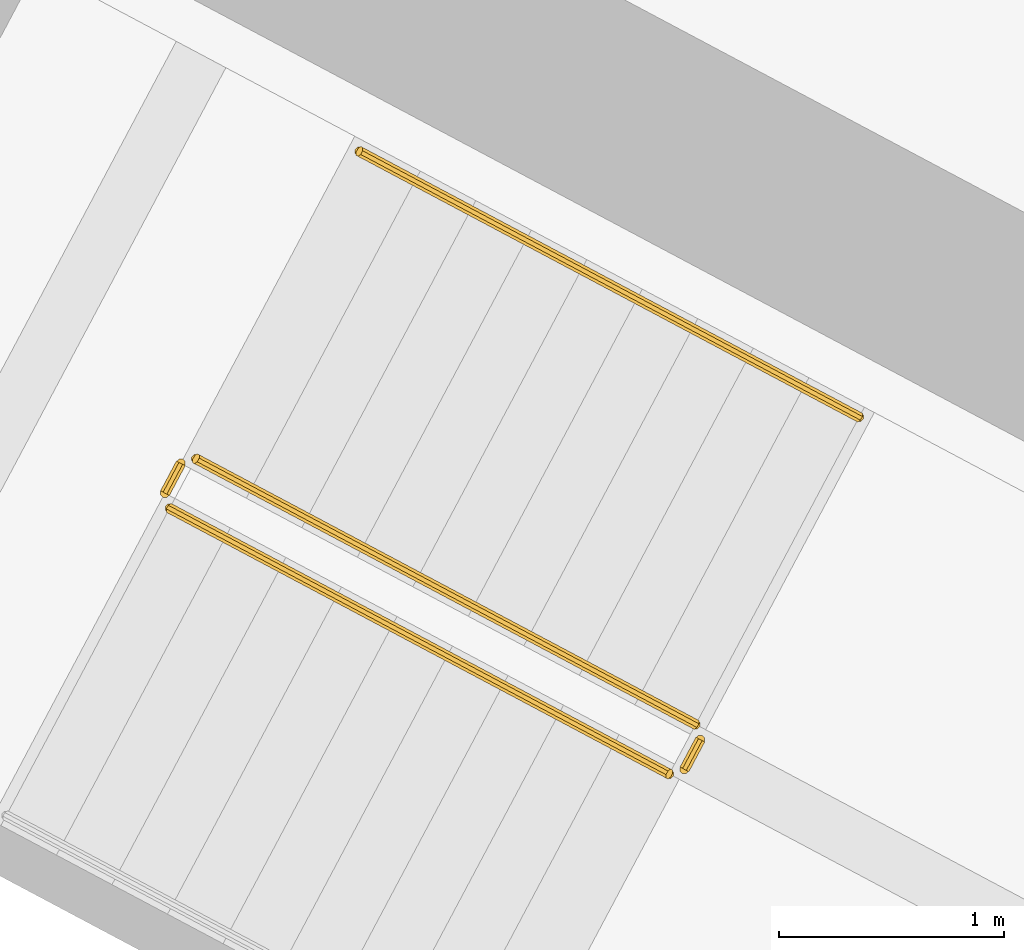
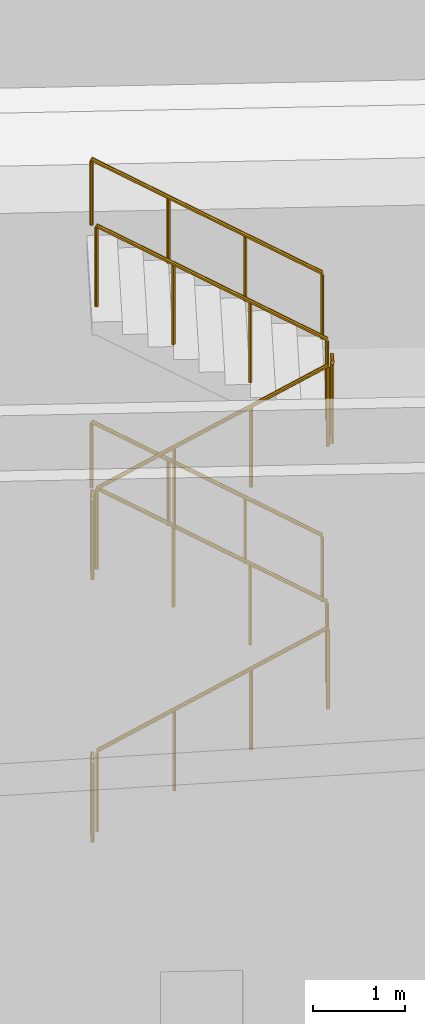
# One storey, part 44 of 57: 9 railings.
"""IFC4 building model written with IfcOpenShell, lengths in metres."""

from ifc_helpers import new_model, si_unit, direction, frame, origin, place, context, subcontext, project, spatial, polyline, outline, extrude, material, type_object, element, save


model = new_model("IFC4")

# Units and contexts
model_context = context("Model", 3, precision=1e-05, world=origin(), true_north=direction((0.0, 1.0)))
body_context = subcontext(model_context, "Body", "Model", "MODEL_VIEW")
ifc_project = project(units=[si_unit("LENGTHUNIT", "METRE"), si_unit("AREAUNIT", "SQUARE_METRE"), si_unit("VOLUMEUNIT", "CUBIC_METRE"), si_unit("PLANEANGLEUNIT", "RADIAN"), si_unit("MASSUNIT", "GRAM", prefix="KILO")], contexts=[model_context])

# Site, building, storey
site_placement = place(None, origin())
site = spatial("IfcSite", under=ifc_project, at=site_placement, CompositionType="ELEMENT")
building_placement = place(site_placement, origin())
building = spatial("IfcBuilding", under=site, at=building_placement, Name="Cormorant Relay Tower", CompositionType="ELEMENT")
storey_placement = place(building_placement, origin())
storey = spatial("IfcBuildingStorey", under=building, at=storey_placement, Name="L00", CompositionType="ELEMENT", Elevation=0.0)

# Railings
ifc_material_1 = material(Name="Steel ASTM A572 Grade 50 (Fy 345 MPa)", Category="steel")
railing_type_1 = type_object("IfcRailingType", Name="Stair guard 1100", PredefinedType="GUARDRAIL", material=ifc_material_1)
railing_1_placement = place(storey_placement, frame((-20.75048828125, 19.017822265625, 0.175048828125)))
element("IfcRailing", 1, at=railing_1_placement, inside=storey, type_object=railing_type_1, Name="L00 A1 stair guard 1", PredefinedType="GUARDRAIL", context=body_context, shape_type="SweptSolid", body=[
    extrude(outline(polyline([(0.022216796875, 0.00927734375), (0.00927734375, 0.022216796875), (-0.00927734375, 0.022216796875), (-0.022216796875, 0.00927734375), (-0.022216796875, -0.00927734375), (-0.00927734375, -0.022216796875), (0.00927734375, -0.022216796875), (0.022216796875, -0.00927734375), (0.022216796875, 0.00927734375)])), frame((0.0, 0.0, 1.076171875), z_axis=(0.748715066256, -0.398142566781, 0.530007779262), x_axis=(0.469511741669, 0.882926228195, 0.0)), (0.0, 0.0, 1.0), 2.9716796875),
    extrude(outline(polyline([(0.019287109375, 0.008056640625), (0.008056640625, 0.019287109375), (-0.008056640625, 0.019287109375), (-0.019287109375, 0.008056640625), (-0.019287109375, -0.008056640625), (-0.008056640625, -0.019287109375), (0.008056640625, -0.019287109375), (0.019287109375, -0.008056640625), (0.019287109375, 0.008056640625)])), origin(), (0.0, 0.0, 1.0), 1.052001953125),
    extrude(outline(polyline([(0.019287109375, 0.008056640625), (0.008056640625, 0.019287109375), (-0.008056640625, 0.019287109375), (-0.019287109375, 0.008056640625), (-0.019287109375, -0.008056640625), (-0.008056640625, -0.019287109375), (0.008056640625, -0.019287109375), (0.019287109375, -0.008056640625), (0.019287109375, 0.008056640625)])), frame((0.74169921875, -0.394287109375, 0.52490234375)), (0.0, 0.0, 1.0), 1.052001953125),
    extrude(outline(polyline([(0.019287109375, 0.008056640625), (0.008056640625, 0.019287109375), (-0.008056640625, 0.019287109375), (-0.019287109375, 0.008056640625), (-0.019287109375, -0.008056640625), (-0.008056640625, -0.019287109375), (0.008056640625, -0.019287109375), (0.019287109375, -0.008056640625), (0.019287109375, 0.008056640625)])), frame((1.483154296875, -0.788818359375, 1.050048828125)), (0.0, 0.0, 1.0), 1.052001953125),
    extrude(outline(polyline([(0.019287109375, 0.008056640625), (0.008056640625, 0.019287109375), (-0.008056640625, 0.019287109375), (-0.019287109375, 0.008056640625), (-0.019287109375, -0.008056640625), (-0.008056640625, -0.019287109375), (0.008056640625, -0.019287109375), (0.019287109375, -0.008056640625), (0.019287109375, 0.008056640625)])), frame((2.224853515625, -1.18310546875, 1.574951171875)), (0.0, 0.0, 1.0), 1.052001953125),
])
railing_2_placement = place(storey_placement, frame((-18.408203125, 18.0556640625, 1.925048828125)))
element("IfcRailing", 2, at=railing_2_placement, inside=storey, type_object=railing_type_1, Name="L00 A1 stair guard 3", PredefinedType="GUARDRAIL", context=body_context, shape_type="SweptSolid", body=[
    extrude(outline(polyline([(0.022216796875, 0.00927734375), (0.00927734375, 0.022216796875), (-0.00927734375, 0.022216796875), (-0.022216796875, 0.00927734375), (-0.022216796875, -0.00927734375), (-0.00927734375, -0.022216796875), (0.00927734375, -0.022216796875), (0.022216796875, -0.00927734375), (0.022216796875, 0.00927734375)])), frame((0.0, 0.0, 1.076171875), z_axis=(-0.74877565377, 0.398048940368, 0.529992510695), x_axis=(-0.469396049876, -0.882987739643, 0.0)), (0.0, 0.0, 1.0), 2.9716796875),
    extrude(outline(polyline([(0.019287109375, 0.008056640625), (0.008056640625, 0.019287109375), (-0.008056640625, 0.019287109375), (-0.019287109375, 0.008056640625), (-0.019287109375, -0.008056640625), (-0.008056640625, -0.019287109375), (0.008056640625, -0.019287109375), (0.019287109375, -0.008056640625), (0.019287109375, 0.008056640625)])), origin(), (0.0, 0.0, 1.0), 1.052001953125),
    extrude(outline(polyline([(0.019287109375, 0.008056640625), (0.008056640625, 0.019287109375), (-0.008056640625, 0.019287109375), (-0.019287109375, 0.008056640625), (-0.019287109375, -0.008056640625), (-0.008056640625, -0.019287109375), (0.008056640625, -0.019287109375), (0.019287109375, -0.008056640625), (0.019287109375, 0.008056640625)])), frame((-0.74169921875, 0.394287109375, 0.52490234375)), (0.0, 0.0, 1.0), 1.052001953125),
    extrude(outline(polyline([(0.019287109375, 0.008056640625), (0.008056640625, 0.019287109375), (-0.008056640625, 0.019287109375), (-0.019287109375, 0.008056640625), (-0.019287109375, -0.008056640625), (-0.008056640625, -0.019287109375), (0.008056640625, -0.019287109375), (0.019287109375, -0.008056640625), (0.019287109375, 0.008056640625)])), frame((-1.4833984375, 0.78857421875, 1.050048828125)), (0.0, 0.0, 1.0), 1.052001953125),
    extrude(outline(polyline([(0.019287109375, 0.008056640625), (0.008056640625, 0.019287109375), (-0.008056640625, 0.019287109375), (-0.019287109375, 0.008056640625), (-0.019287109375, -0.008056640625), (-0.008056640625, -0.019287109375), (0.008056640625, -0.019287109375), (0.019287109375, -0.008056640625), (0.019287109375, 0.008056640625)])), frame((-2.22509765625, 1.182861328125, 1.574951171875)), (0.0, 0.0, 1.0), 1.052001953125),
])
railing_3_placement = place(storey_placement, frame((-20.771240234375, 19.08544921875, 3.5)))
element("IfcRailing", 3, at=railing_3_placement, inside=storey, type_object=railing_type_1, Name="L00 A1 stair guard 4", PredefinedType="GUARDRAIL", context=body_context, shape_type="SweptSolid", body=[
    extrude(outline(polyline([(0.022216796875, 0.00927734375), (0.00927734375, 0.022216796875), (-0.00927734375, 0.022216796875), (-0.022216796875, 0.00927734375), (-0.022216796875, -0.00927734375), (-0.00927734375, -0.022216796875), (0.00927734375, -0.022216796875), (0.022216796875, -0.00927734375), (0.022216796875, 0.00927734375)])), frame((0.0, 0.0, 1.076171875), z_axis=(0.469828648786, 0.882757634224, 0.0), x_axis=(-0.882757634224, 0.469828648786, 0.0)), (0.0, 0.0, 1.0), 0.150146484375),
    extrude(outline(polyline([(0.019287109375, 0.008056640625), (0.008056640625, 0.019287109375), (-0.008056640625, 0.019287109375), (-0.019287109375, 0.008056640625), (-0.019287109375, -0.008056640625), (-0.008056640625, -0.019287109375), (0.008056640625, -0.019287109375), (0.019287109375, -0.008056640625), (0.019287109375, 0.008056640625)])), origin(), (0.0, 0.0, 1.0), 1.052001953125),
    extrude(outline(polyline([(0.019287109375, 0.008056640625), (0.008056640625, 0.019287109375), (-0.008056640625, 0.019287109375), (-0.019287109375, 0.008056640625), (-0.019287109375, -0.008056640625), (-0.008056640625, -0.019287109375), (0.008056640625, -0.019287109375), (0.019287109375, -0.008056640625), (0.019287109375, 0.008056640625)])), frame((0.070556640625, 0.132568359375, 0.0)), (0.0, 0.0, 1.0), 1.052001953125),
])
railing_4_placement = place(storey_placement, frame((-20.75048828125, 19.017822265625, 3.675048828125)))
element("IfcRailing", 4, at=railing_4_placement, inside=storey, type_object=railing_type_1, Name="L00 A1 stair guard 5", PredefinedType="GUARDRAIL", context=body_context, shape_type="SweptSolid", body=[
    extrude(outline(polyline([(0.022216796875, 0.00927734375), (0.00927734375, 0.022216796875), (-0.00927734375, 0.022216796875), (-0.022216796875, 0.00927734375), (-0.022216796875, -0.00927734375), (-0.00927734375, -0.022216796875), (0.00927734375, -0.022216796875), (0.022216796875, -0.00927734375), (0.022216796875, 0.00927734375)])), frame((0.0, 0.0, 1.076171875), z_axis=(0.748715066256, -0.398142566781, 0.530007779262), x_axis=(0.469511741669, 0.882926228195, 0.0)), (0.0, 0.0, 1.0), 2.9716796875),
    extrude(outline(polyline([(0.019287109375, 0.008056640625), (0.008056640625, 0.019287109375), (-0.008056640625, 0.019287109375), (-0.019287109375, 0.008056640625), (-0.019287109375, -0.008056640625), (-0.008056640625, -0.019287109375), (0.008056640625, -0.019287109375), (0.019287109375, -0.008056640625), (0.019287109375, 0.008056640625)])), origin(), (0.0, 0.0, 1.0), 1.052001953125),
    extrude(outline(polyline([(0.019287109375, 0.008056640625), (0.008056640625, 0.019287109375), (-0.008056640625, 0.019287109375), (-0.019287109375, 0.008056640625), (-0.019287109375, -0.008056640625), (-0.008056640625, -0.019287109375), (0.008056640625, -0.019287109375), (0.019287109375, -0.008056640625), (0.019287109375, 0.008056640625)])), frame((0.74169921875, -0.394287109375, 0.52490234375)), (0.0, 0.0, 1.0), 1.052001953125),
    extrude(outline(polyline([(0.019287109375, 0.008056640625), (0.008056640625, 0.019287109375), (-0.008056640625, 0.019287109375), (-0.019287109375, 0.008056640625), (-0.019287109375, -0.008056640625), (-0.008056640625, -0.019287109375), (0.008056640625, -0.019287109375), (0.019287109375, -0.008056640625), (0.019287109375, 0.008056640625)])), frame((1.483154296875, -0.788818359375, 1.050048828125)), (0.0, 0.0, 1.0), 1.052001953125),
    extrude(outline(polyline([(0.019287109375, 0.008056640625), (0.008056640625, 0.019287109375), (-0.008056640625, 0.019287109375), (-0.019287109375, 0.008056640625), (-0.019287109375, -0.008056640625), (-0.008056640625, -0.019287109375), (0.008056640625, -0.019287109375), (0.019287109375, -0.008056640625), (0.019287109375, 0.008056640625)])), frame((2.224853515625, -1.18310546875, 1.574951171875)), (0.0, 0.0, 1.0), 1.052001953125),
])
railing_5_placement = place(storey_placement, frame((-18.4580078125, 17.85546875, 5.25)))
element("IfcRailing", 5, at=railing_5_placement, inside=storey, type_object=railing_type_1, Name="L00 A1 stair guard 6", PredefinedType="GUARDRAIL", context=body_context, shape_type="SweptSolid", body=[
    extrude(outline(polyline([(0.022216796875, 0.00927734375), (0.00927734375, 0.022216796875), (-0.00927734375, 0.022216796875), (-0.022216796875, 0.00927734375), (-0.022216796875, -0.00927734375), (-0.00927734375, -0.022216796875), (0.00927734375, -0.022216796875), (0.022216796875, -0.00927734375), (0.022216796875, 0.00927734375)])), frame((0.0, 0.0, 1.076171875), z_axis=(0.469828648786, 0.882757634224, 0.0), x_axis=(-0.882757634224, 0.469828648786, 0.0)), (0.0, 0.0, 1.0), 0.150146484375),
    extrude(outline(polyline([(0.019287109375, 0.008056640625), (0.008056640625, 0.019287109375), (-0.008056640625, 0.019287109375), (-0.019287109375, 0.008056640625), (-0.019287109375, -0.008056640625), (-0.008056640625, -0.019287109375), (0.008056640625, -0.019287109375), (0.019287109375, -0.008056640625), (0.019287109375, 0.008056640625)])), origin(), (0.0, 0.0, 1.0), 1.052001953125),
    extrude(outline(polyline([(0.019287109375, 0.008056640625), (0.008056640625, 0.019287109375), (-0.008056640625, 0.019287109375), (-0.019287109375, 0.008056640625), (-0.019287109375, -0.008056640625), (-0.008056640625, -0.019287109375), (0.008056640625, -0.019287109375), (0.019287109375, -0.008056640625), (0.019287109375, 0.008056640625)])), frame((0.070556640625, 0.132568359375, 0.0)), (0.0, 0.0, 1.0), 1.052001953125),
])
railing_6_placement = place(storey_placement, frame((-18.408203125, 18.0556640625, 5.425048828125)))
element("IfcRailing", 6, at=railing_6_placement, inside=storey, type_object=railing_type_1, Name="L00 A1 stair guard 7", PredefinedType="GUARDRAIL", context=body_context, shape_type="SweptSolid", body=[
    extrude(outline(polyline([(0.022216796875, 0.00927734375), (0.00927734375, 0.022216796875), (-0.00927734375, 0.022216796875), (-0.022216796875, 0.00927734375), (-0.022216796875, -0.00927734375), (-0.00927734375, -0.022216796875), (0.00927734375, -0.022216796875), (0.022216796875, -0.00927734375), (0.022216796875, 0.00927734375)])), frame((0.0, 0.0, 1.076171875), z_axis=(-0.74877565377, 0.398048940368, 0.529992510695), x_axis=(-0.469396049876, -0.882987739643, 0.0)), (0.0, 0.0, 1.0), 2.9716796875),
    extrude(outline(polyline([(0.019287109375, 0.008056640625), (0.008056640625, 0.019287109375), (-0.008056640625, 0.019287109375), (-0.019287109375, 0.008056640625), (-0.019287109375, -0.008056640625), (-0.008056640625, -0.019287109375), (0.008056640625, -0.019287109375), (0.019287109375, -0.008056640625), (0.019287109375, 0.008056640625)])), origin(), (0.0, 0.0, 1.0), 1.052001953125),
    extrude(outline(polyline([(0.019287109375, 0.008056640625), (0.008056640625, 0.019287109375), (-0.008056640625, 0.019287109375), (-0.019287109375, 0.008056640625), (-0.019287109375, -0.008056640625), (-0.008056640625, -0.019287109375), (0.008056640625, -0.019287109375), (0.019287109375, -0.008056640625), (0.019287109375, 0.008056640625)])), frame((-0.74169921875, 0.394287109375, 0.52490234375)), (0.0, 0.0, 1.0), 1.052001953125),
    extrude(outline(polyline([(0.019287109375, 0.008056640625), (0.008056640625, 0.019287109375), (-0.008056640625, 0.019287109375), (-0.019287109375, 0.008056640625), (-0.019287109375, -0.008056640625), (-0.008056640625, -0.019287109375), (0.008056640625, -0.019287109375), (0.019287109375, -0.008056640625), (0.019287109375, 0.008056640625)])), frame((-1.4833984375, 0.78857421875, 1.050048828125)), (0.0, 0.0, 1.0), 1.052001953125),
    extrude(outline(polyline([(0.019287109375, 0.008056640625), (0.008056640625, 0.019287109375), (-0.008056640625, 0.019287109375), (-0.019287109375, 0.008056640625), (-0.019287109375, -0.008056640625), (-0.008056640625, -0.019287109375), (0.008056640625, -0.019287109375), (0.019287109375, -0.008056640625), (0.019287109375, 0.008056640625)])), frame((-2.22509765625, 1.182861328125, 1.574951171875)), (0.0, 0.0, 1.0), 1.052001953125),
])
railing_7_placement = place(storey_placement, frame((-20.771240234375, 19.08544921875, 0.0)))
element("IfcRailing", 7, at=railing_7_placement, inside=storey, type_object=railing_type_1, Name="L00 A1 stair guard 8", PredefinedType="GUARDRAIL", context=body_context, shape_type="SweptSolid", body=[
    extrude(outline(polyline([(0.022216796875, 0.00927734375), (0.00927734375, 0.022216796875), (-0.00927734375, 0.022216796875), (-0.022216796875, 0.00927734375), (-0.022216796875, -0.00927734375), (-0.00927734375, -0.022216796875), (0.00927734375, -0.022216796875), (0.022216796875, -0.00927734375), (0.022216796875, 0.00927734375)])), frame((0.0, 0.0, 1.076171875), z_axis=(0.469828648786, 0.882757634224, 0.0), x_axis=(-0.882757634224, 0.469828648786, 0.0)), (0.0, 0.0, 1.0), 0.150146484375),
    extrude(outline(polyline([(0.019287109375, 0.008056640625), (0.008056640625, 0.019287109375), (-0.008056640625, 0.019287109375), (-0.019287109375, 0.008056640625), (-0.019287109375, -0.008056640625), (-0.008056640625, -0.019287109375), (0.008056640625, -0.019287109375), (0.019287109375, -0.008056640625), (0.019287109375, 0.008056640625)])), origin(), (0.0, 0.0, 1.0), 1.052001953125),
    extrude(outline(polyline([(0.019287109375, 0.008056640625), (0.008056640625, 0.019287109375), (-0.008056640625, 0.019287109375), (-0.019287109375, 0.008056640625), (-0.019287109375, -0.008056640625), (-0.008056640625, -0.019287109375), (0.008056640625, -0.019287109375), (0.019287109375, -0.008056640625), (0.019287109375, 0.008056640625)])), frame((0.070556640625, 0.132568359375, 0.0)), (0.0, 0.0, 1.0), 1.052001953125),
])
ifc_material_2 = material(Name="Steel ASTM A572 Grade 50 (Fy 345 MPa)", Category="steel")
railing_type_2 = type_object("IfcRailingType", Name="Stair handrail 900", PredefinedType="HANDRAIL", material=ifc_material_2)
railing_8_placement = place(storey_placement, frame((-17.680419921875, 19.424072265625, 1.925048828125)))
element("IfcRailing", 8, at=railing_8_placement, inside=storey, type_object=railing_type_2, Name="L00 A1 stair handrail 2", PredefinedType="HANDRAIL", context=body_context, shape_type="SweptSolid", body=[
    extrude(outline(polyline([(0.022216796875, 0.00927734375), (0.00927734375, 0.022216796875), (-0.00927734375, 0.022216796875), (-0.022216796875, 0.00927734375), (-0.022216796875, -0.00927734375), (-0.00927734375, -0.022216796875), (0.00927734375, -0.022216796875), (0.022216796875, -0.00927734375), (0.022216796875, 0.00927734375)])), frame((0.0, 0.0, 0.8759765625), z_axis=(-0.74875116571, 0.398118076479, 0.529975177748), x_axis=(-0.4694715809, -0.882947583228, 0.0)), (0.0, 0.0, 1.0), 2.9716796875),
    extrude(outline(polyline([(0.019287109375, 0.008056640625), (0.008056640625, 0.019287109375), (-0.008056640625, 0.019287109375), (-0.019287109375, 0.008056640625), (-0.019287109375, -0.008056640625), (-0.008056640625, -0.019287109375), (0.008056640625, -0.019287109375), (0.019287109375, -0.008056640625), (0.019287109375, 0.008056640625)])), origin(), (0.0, 0.0, 1.0), 0.851806640625),
    extrude(outline(polyline([(0.019287109375, 0.008056640625), (0.008056640625, 0.019287109375), (-0.008056640625, 0.019287109375), (-0.019287109375, 0.008056640625), (-0.019287109375, -0.008056640625), (-0.008056640625, -0.019287109375), (0.008056640625, -0.019287109375), (0.019287109375, -0.008056640625), (0.019287109375, 0.008056640625)])), frame((-0.74169921875, 0.394287109375, 0.52490234375)), (0.0, 0.0, 1.0), 0.851806640625),
    extrude(outline(polyline([(0.019287109375, 0.008056640625), (0.008056640625, 0.019287109375), (-0.008056640625, 0.019287109375), (-0.019287109375, 0.008056640625), (-0.019287109375, -0.008056640625), (-0.008056640625, -0.019287109375), (0.008056640625, -0.019287109375), (0.019287109375, -0.008056640625), (0.019287109375, 0.008056640625)])), frame((-1.4833984375, 0.788818359375, 1.050048828125)), (0.0, 0.0, 1.0), 0.851806640625),
    extrude(outline(polyline([(0.019287109375, 0.008056640625), (0.008056640625, 0.019287109375), (-0.008056640625, 0.019287109375), (-0.019287109375, 0.008056640625), (-0.019287109375, -0.008056640625), (-0.008056640625, -0.019287109375), (0.008056640625, -0.019287109375), (0.019287109375, -0.008056640625), (0.019287109375, 0.008056640625)])), frame((-2.22509765625, 1.18310546875, 1.574951171875)), (0.0, 0.0, 1.0), 0.851806640625),
])
railing_9_placement = place(storey_placement, frame((-17.680419921875, 19.424072265625, 5.425048828125)))
element("IfcRailing", 9, at=railing_9_placement, inside=storey, type_object=railing_type_2, Name="L00 A1 stair handrail 4", PredefinedType="HANDRAIL", context=body_context, shape_type="SweptSolid", body=[
    extrude(outline(polyline([(0.022216796875, 0.00927734375), (0.00927734375, 0.022216796875), (-0.00927734375, 0.022216796875), (-0.022216796875, 0.00927734375), (-0.022216796875, -0.00927734375), (-0.00927734375, -0.022216796875), (0.00927734375, -0.022216796875), (0.022216796875, -0.00927734375), (0.022216796875, 0.00927734375)])), frame((0.0, 0.0, 0.8759765625), z_axis=(-0.74875116571, 0.398118076479, 0.529975177748), x_axis=(-0.4694715809, -0.882947583228, 0.0)), (0.0, 0.0, 1.0), 2.9716796875),
    extrude(outline(polyline([(0.019287109375, 0.008056640625), (0.008056640625, 0.019287109375), (-0.008056640625, 0.019287109375), (-0.019287109375, 0.008056640625), (-0.019287109375, -0.008056640625), (-0.008056640625, -0.019287109375), (0.008056640625, -0.019287109375), (0.019287109375, -0.008056640625), (0.019287109375, 0.008056640625)])), origin(), (0.0, 0.0, 1.0), 0.851806640625),
    extrude(outline(polyline([(0.019287109375, 0.008056640625), (0.008056640625, 0.019287109375), (-0.008056640625, 0.019287109375), (-0.019287109375, 0.008056640625), (-0.019287109375, -0.008056640625), (-0.008056640625, -0.019287109375), (0.008056640625, -0.019287109375), (0.019287109375, -0.008056640625), (0.019287109375, 0.008056640625)])), frame((-0.74169921875, 0.394287109375, 0.52490234375)), (0.0, 0.0, 1.0), 0.851806640625),
    extrude(outline(polyline([(0.019287109375, 0.008056640625), (0.008056640625, 0.019287109375), (-0.008056640625, 0.019287109375), (-0.019287109375, 0.008056640625), (-0.019287109375, -0.008056640625), (-0.008056640625, -0.019287109375), (0.008056640625, -0.019287109375), (0.019287109375, -0.008056640625), (0.019287109375, 0.008056640625)])), frame((-1.4833984375, 0.788818359375, 1.050048828125)), (0.0, 0.0, 1.0), 0.851806640625),
    extrude(outline(polyline([(0.019287109375, 0.008056640625), (0.008056640625, 0.019287109375), (-0.008056640625, 0.019287109375), (-0.019287109375, 0.008056640625), (-0.019287109375, -0.008056640625), (-0.008056640625, -0.019287109375), (0.008056640625, -0.019287109375), (0.019287109375, -0.008056640625), (0.019287109375, 0.008056640625)])), frame((-2.22509765625, 1.18310546875, 1.574951171875)), (0.0, 0.0, 1.0), 0.851806640625),
])

save(model, "model.ifc")
